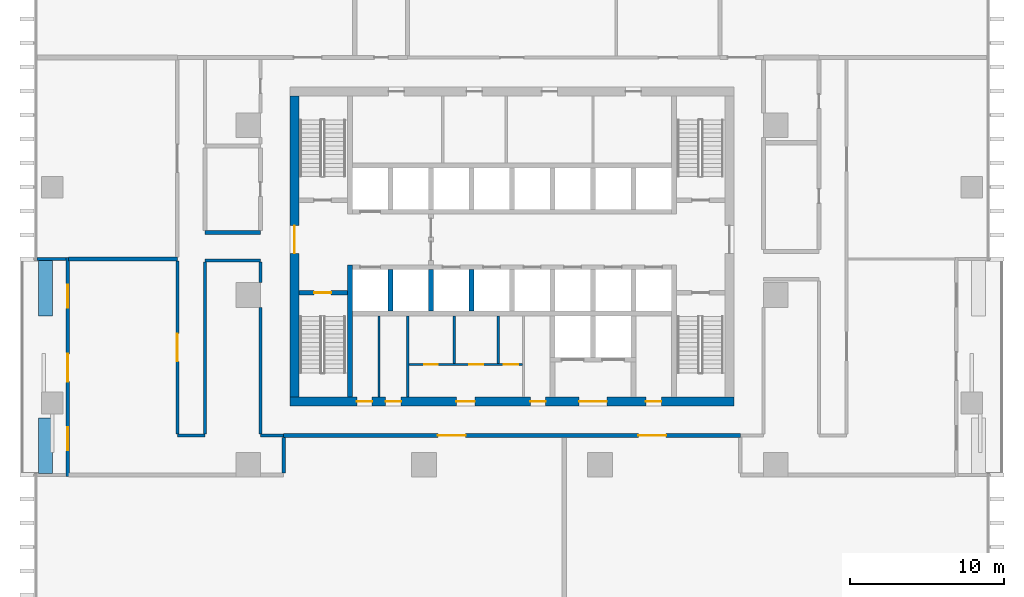
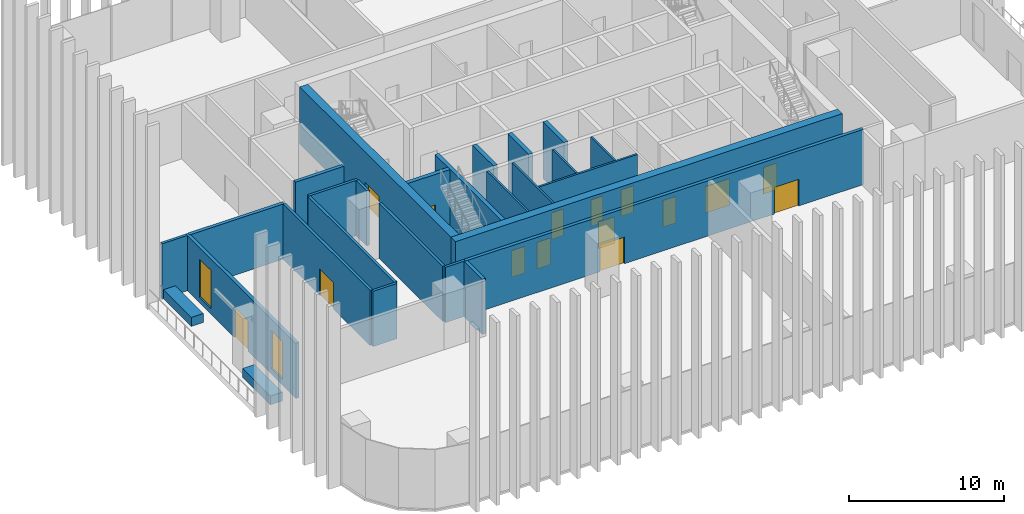
# One storey, part 7 of 17: 27 walls, 15 doors, 2 windows, 17 openings.
"""IFC4 building model written with IfcOpenShell, lengths in metres."""

from ifc_helpers import new_model, si_unit, direction, frame, frame_2d, origin, place, context, subcontext, project, spatial, rectangle, extrude, material, layer, layer_set, type_object, element, fill, save


model = new_model("IFC4")

# Units and contexts
model_context = context("Model", 3, precision=1e-05, world=origin(), true_north=direction((0.0, 1.0)))
body_context = subcontext(model_context, "Body", "Model", "MODEL_VIEW")
ifc_project = project(units=[si_unit("LENGTHUNIT", "METRE"), si_unit("AREAUNIT", "SQUARE_METRE"), si_unit("VOLUMEUNIT", "CUBIC_METRE"), si_unit("PLANEANGLEUNIT", "RADIAN"), si_unit("MASSUNIT", "GRAM", prefix="KILO")], contexts=[model_context])

# Site, building, storey
site_placement = place(None, origin())
site = spatial("IfcSite", under=ifc_project, at=site_placement, CompositionType="ELEMENT")
building_placement = place(site_placement, origin())
building = spatial("IfcBuilding", under=site, at=building_placement, Name="Mopane Tessera Tower", CompositionType="ELEMENT")
storey_placement = place(building_placement, frame((0.0, 0.0, 31.0)))
storey = spatial("IfcBuildingStorey", under=building, at=storey_placement, Name="L05", CompositionType="ELEMENT", Elevation=31.0)

# Walls
ifc_material_1 = material(Name="Fire-rated gypsum board partition")
ifc_layer_1 = layer(ifc_material_1, 0.14990234375)
ifc_layer_set_1 = layer_set([ifc_layer_1], Name="Fire-rated gypsum board partition")
wall_type_1 = type_object("IfcWallType", Name="Core room partition 150 mm", PredefinedType="PARTITIONING", material=ifc_layer_set_1)
for number, where, z_axis, x_axis, name in (
    (1, (-8.625, -6.60009765625, 0.0), (0.0, 0.0, 1.0), (0.0, 1.0, 0.0), "L05 Room partition"),
    (2, (-6.75, -6.60009765625, 0.0), (0.0, 0.0, 1.0), (0.0, 1.0, 0.0), "L05 Room partition"),
):
    element("IfcWall", number, at=place(storey_placement, frame(where, z_axis=z_axis, x_axis=x_axis)), inside=storey, type_object=wall_type_1, Name=name, PredefinedType="PARTITIONING", context=body_context, shape_type="SweptSolid", body=[
        extrude(rectangle(XDim=5.25, YDim=0.14990234375, at=frame_2d((2.625, 0.0))), origin(), (0.0, 0.0, 1.0), 4.5),
    ])

# Wall, openings, doors
wall_1_placement = place(storey_placement, frame((-6.675048828125, -4.5, 0.0), z_axis=(0.0, 0.0, 1.0), x_axis=(1.0, 0.0, 0.0)))
wall_1 = element("IfcWall", 3, at=wall_1_placement, inside=storey, type_object=wall_type_1, Name="L05 WC partition", PredefinedType="PARTITIONING", context=body_context, shape_type="SweptSolid", body=[
    extrude(rectangle(XDim=7.35009765625, YDim=0.14990234375, at=frame_2d((3.675048828125, 0.0))), origin(), (0.0, 0.0, 1.0), 4.5),
])
opening_1_placement = place(wall_1_placement, frame((0.97509765625, 0.0, 0.0)))
opening_1 = element("IfcOpeningElement", 4, at=opening_1_placement, cuts=wall_1, Name="Opening WD1", PredefinedType="OPENING", context=body_context, shape_type="SweptSolid", body=[
    extrude(rectangle(XDim=0.89990234375, YDim=2.10009765625, at=frame_2d((0.449951171875, 1.050048828125))), frame((0.0, 0.0869140625, 0.0), z_axis=(0.0, -1.0, 0.0), x_axis=(1.0, 0.0, 0.0)), (0.0, 0.0, 1.0), 0.173828125),
])
opening_2_placement = place(wall_1_placement, frame((3.89990234375, 0.0, 0.0)))
opening_2 = element("IfcOpeningElement", 5, at=opening_2_placement, cuts=wall_1, Name="Opening WD1", PredefinedType="OPENING", context=body_context, shape_type="SweptSolid", body=[
    extrude(rectangle(XDim=0.89990234375, YDim=2.10009765625, at=frame_2d((0.449951171875, 1.050048828125))), frame((0.0, 0.0869140625, 0.0), z_axis=(0.0, -1.0, 0.0), x_axis=(1.0, 0.0, 0.0)), (0.0, 0.0, 1.0), 0.173828125),
])
opening_3_placement = place(wall_1_placement, frame((6.125, 0.0, 0.0)))
opening_3 = element("IfcOpeningElement", 6, at=opening_3_placement, cuts=wall_1, Name="Opening WD2", PredefinedType="OPENING", context=body_context, shape_type="SweptSolid", body=[
    extrude(rectangle(XDim=0.949951171875, YDim=2.10009765625, at=frame_2d((0.47509765625, 1.050048828125))), frame((0.0, 0.0869140625, 0.0), z_axis=(0.0, -1.0, 0.0), x_axis=(1.0, 0.0, 0.0)), (0.0, 0.0, 1.0), 0.173828125),
])
ifc_material_2 = material(Name="Timber door", Category="wood")
door_type_1 = type_object("IfcDoorType", Name="Accessible WC door 950 x 2100", OperationType="SINGLE_SWING_LEFT", PredefinedType="DOOR", material=ifc_material_2)
door_1_placement = place(opening_3_placement, origin())
door_1 = element("IfcDoor", 7, at=door_1_placement, inside=storey, type_object=door_type_1, Name="L05 Accessible WC door", OperationType="SINGLE_SWING_LEFT", OverallHeight=2.10009765625, OverallWidth=0.949951171875, PredefinedType="DOOR", context=body_context, shape_type="SweptSolid", body=[
    extrude(rectangle(XDim=0.949951171875, YDim=2.10009765625, at=frame_2d((0.47509765625, 1.050048828125))), frame((0.0, 0.02490234375, 0.0), z_axis=(0.0, -1.0, 0.0), x_axis=(1.0, 0.0, 0.0)), (0.0, 0.0, 1.0), 0.050048828125),
])
fill(opening_3, door_1)
ifc_material_3 = material(Name="Timber door", Category="wood")
door_type_2 = type_object("IfcDoorType", Name="WC cubicle door 900 x 2100", OperationType="SINGLE_SWING_LEFT", PredefinedType="DOOR", material=ifc_material_3)
door_2_placement = place(opening_1_placement, origin())
door_2 = element("IfcDoor", 8, at=door_2_placement, inside=storey, type_object=door_type_2, Name="L05 Men's WC door", OperationType="SINGLE_SWING_LEFT", OverallHeight=2.10009765625, OverallWidth=0.89990234375, PredefinedType="DOOR", context=body_context, shape_type="SweptSolid", body=[
    extrude(rectangle(XDim=0.89990234375, YDim=2.10009765625, at=frame_2d((0.449951171875, 1.050048828125))), frame((0.0, 0.02490234375, 0.0), z_axis=(0.0, -1.0, 0.0), x_axis=(1.0, 0.0, 0.0)), (0.0, 0.0, 1.0), 0.050048828125),
])
fill(opening_1, door_2)
door_3_placement = place(opening_2_placement, origin())
door_3 = element("IfcDoor", 9, at=door_3_placement, inside=storey, type_object=door_type_2, Name="L05 Women's WC door", OperationType="SINGLE_SWING_LEFT", OverallHeight=2.10009765625, OverallWidth=0.89990234375, PredefinedType="DOOR", context=body_context, shape_type="SweptSolid", body=[
    extrude(rectangle(XDim=0.89990234375, YDim=2.10009765625, at=frame_2d((0.449951171875, 1.050048828125))), frame((0.0, 0.02490234375, 0.0), z_axis=(0.0, -1.0, 0.0), x_axis=(1.0, 0.0, 0.0)), (0.0, 0.0, 1.0), 0.050048828125),
])
fill(opening_2, door_3)

# Walls
for number, where, z_axis, x_axis, name in (
    (10, (-3.75, -4.425048828125, 0.0), (0.0, 0.0, 1.0), (0.0, 1.0, 0.0), "L05 WC partition"),
    (11, (-0.89990234375, -4.425048828125, 0.0), (0.0, 0.0, 1.0), (0.0, 1.0, 0.0), "L05 WC partition"),
):
    element("IfcWall", number, at=place(storey_placement, frame(where, z_axis=z_axis, x_axis=x_axis)), inside=storey, type_object=wall_type_1, Name=name, PredefinedType="PARTITIONING", context=body_context, shape_type="SweptSolid", body=[
        extrude(rectangle(XDim=3.074951171875, YDim=0.14990234375, at=frame_2d((1.53759765625, 0.0))), origin(), (0.0, 0.0, 1.0), 4.5),
    ])

# Wall, openings, doors
ifc_material_4 = material(Name="Concrete C70/85", Category="concrete")
ifc_layer_2 = layer(ifc_material_4, 0.60009765625)
ifc_layer_set_2 = layer_set([ifc_layer_2], Name="Concrete C70/85")
wall_type_2 = type_object("IfcWallType", Name="Core shear wall 600 mm", PredefinedType="SHEAR", material=ifc_layer_set_2)
wall_2_placement = place(storey_placement, frame((-14.39990234375, -6.89990234375, 0.0), z_axis=(0.0, 0.0, 1.0), x_axis=(1.0, 0.0, 0.0)))
wall_2 = element("IfcWall", 12, at=wall_2_placement, inside=storey, type_object=wall_type_2, Name="L05 Core wall south", PredefinedType="SHEAR", context=body_context, shape_type="SweptSolid", body=[
    extrude(rectangle(XDim=28.7998046875, YDim=0.60009765625, at=frame_2d((14.39990234375, 0.0))), origin(), (0.0, 0.0, 1.0), 4.5),
])
opening_4_placement = place(wall_2_placement, frame((4.33740234375, 0.0, 0.0)))
opening_4 = element("IfcOpeningElement", 13, at=opening_4_placement, cuts=wall_2, Name="Opening RD1", PredefinedType="OPENING", context=body_context, shape_type="SweptSolid", body=[
    extrude(rectangle(XDim=1.0, YDim=2.10009765625, at=frame_2d((0.5, 1.050048828125))), frame((0.0, 0.31201171875, 0.0), z_axis=(0.0, -1.0, 0.0), x_axis=(1.0, 0.0, 0.0)), (0.0, 0.0, 1.0), 0.6240234375),
])
opening_5_placement = place(wall_2_placement, frame((6.21240234375, 0.0, 0.0)))
opening_5 = element("IfcOpeningElement", 14, at=opening_5_placement, cuts=wall_2, Name="Opening RD1", PredefinedType="OPENING", context=body_context, shape_type="SweptSolid", body=[
    extrude(rectangle(XDim=1.0, YDim=2.10009765625, at=frame_2d((0.5, 1.050048828125))), frame((0.0, 0.31201171875, 0.0), z_axis=(0.0, -1.0, 0.0), x_axis=(1.0, 0.0, 0.0)), (0.0, 0.0, 1.0), 0.6240234375),
])
opening_6_placement = place(wall_2_placement, frame((10.800048828125, 0.0, 0.0)))
opening_6 = element("IfcOpeningElement", 15, at=opening_6_placement, cuts=wall_2, Name="Opening WD3", PredefinedType="OPENING", context=body_context, shape_type="SweptSolid", body=[
    extrude(rectangle(XDim=1.199951171875, YDim=2.10009765625, at=frame_2d((0.60009765625, 1.050048828125))), frame((0.0, 0.31201171875, 0.0), z_axis=(0.0, -1.0, 0.0), x_axis=(1.0, 0.0, 0.0)), (0.0, 0.0, 1.0), 0.6240234375),
])
opening_7_placement = place(wall_2_placement, frame((15.58740234375, 0.0, 0.0)))
opening_7 = element("IfcOpeningElement", 16, at=opening_7_placement, cuts=wall_2, Name="Opening RD1", PredefinedType="OPENING", context=body_context, shape_type="SweptSolid", body=[
    extrude(rectangle(XDim=1.0, YDim=2.10009765625, at=frame_2d((0.5, 1.050048828125))), frame((0.0, 0.31201171875, 0.0), z_axis=(0.0, -1.0, 0.0), x_axis=(1.0, 0.0, 0.0)), (0.0, 0.0, 1.0), 0.6240234375),
])
opening_8_placement = place(wall_2_placement, frame((18.75, 0.0, 0.0)))
opening_8 = element("IfcOpeningElement", 17, at=opening_8_placement, cuts=wall_2, Name="Opening SD2", PredefinedType="OPENING", context=body_context, shape_type="SweptSolid", body=[
    extrude(rectangle(XDim=1.800048828125, YDim=2.10009765625, at=frame_2d((0.89990234375, 1.050048828125))), frame((0.0, 0.31201171875, 0.0), z_axis=(0.0, -1.0, 0.0), x_axis=(1.0, 0.0, 0.0)), (0.0, 0.0, 1.0), 0.6240234375),
])
opening_9_placement = place(wall_2_placement, frame((23.08740234375, 0.0, 0.0)))
opening_9 = element("IfcOpeningElement", 18, at=opening_9_placement, cuts=wall_2, Name="Opening RD1", PredefinedType="OPENING", context=body_context, shape_type="SweptSolid", body=[
    extrude(rectangle(XDim=1.0, YDim=2.10009765625, at=frame_2d((0.5, 1.050048828125))), frame((0.0, 0.31201171875, 0.0), z_axis=(0.0, -1.0, 0.0), x_axis=(1.0, 0.0, 0.0)), (0.0, 0.0, 1.0), 0.6240234375),
])
ifc_material_5 = material(Name="Steel fire door", Category="steel")
door_type_3 = type_object("IfcDoorType", Name="Core entrance double door 1800 x 2100", OperationType="DOUBLE_DOOR_SINGLE_SWING", PredefinedType="DOOR", material=ifc_material_5)
door_4_placement = place(opening_8_placement, origin())
door_4 = element("IfcDoor", 19, at=door_4_placement, inside=storey, type_object=door_type_3, Name="L05 Service lobby door", OperationType="DOUBLE_DOOR_SINGLE_SWING", OverallHeight=2.10009765625, OverallWidth=1.800048828125, PredefinedType="DOOR", context=body_context, shape_type="SweptSolid", body=[
    extrude(rectangle(XDim=1.800048828125, YDim=2.10009765625, at=frame_2d((0.89990234375, 1.050048828125))), frame((0.0, 0.02490234375, 0.0), z_axis=(0.0, -1.0, 0.0), x_axis=(1.0, 0.0, 0.0)), (0.0, 0.0, 1.0), 0.050048828125),
])
fill(opening_8, door_4)
ifc_material_6 = material(Name="Timber door", Category="wood")
door_type_4 = type_object("IfcDoorType", Name="Core room door 1000 x 2100", OperationType="SINGLE_SWING_LEFT", PredefinedType="DOOR", material=ifc_material_6)
door_5_placement = place(opening_4_placement, origin())
door_5 = element("IfcDoor", 20, at=door_5_placement, inside=storey, type_object=door_type_4, Name="L05 Room door", OperationType="SINGLE_SWING_LEFT", OverallHeight=2.10009765625, OverallWidth=1.0, PredefinedType="DOOR", context=body_context, shape_type="SweptSolid", body=[
    extrude(rectangle(XDim=1.0, YDim=2.10009765625, at=frame_2d((0.5, 1.050048828125))), frame((0.0, 0.02490234375, 0.0), z_axis=(0.0, -1.0, 0.0), x_axis=(1.0, 0.0, 0.0)), (0.0, 0.0, 1.0), 0.050048828125),
])
fill(opening_4, door_5)
door_6_placement = place(opening_5_placement, origin())
door_6 = element("IfcDoor", 21, at=door_6_placement, inside=storey, type_object=door_type_4, Name="L05 Room door", OperationType="SINGLE_SWING_LEFT", OverallHeight=2.10009765625, OverallWidth=1.0, PredefinedType="DOOR", context=body_context, shape_type="SweptSolid", body=[
    extrude(rectangle(XDim=1.0, YDim=2.10009765625, at=frame_2d((0.5, 1.050048828125))), frame((0.0, 0.02490234375, 0.0), z_axis=(0.0, -1.0, 0.0), x_axis=(1.0, 0.0, 0.0)), (0.0, 0.0, 1.0), 0.050048828125),
])
fill(opening_5, door_6)
door_7_placement = place(opening_7_placement, origin())
door_7 = element("IfcDoor", 22, at=door_7_placement, inside=storey, type_object=door_type_4, Name="L05 Room door", OperationType="SINGLE_SWING_LEFT", OverallHeight=2.10009765625, OverallWidth=1.0, PredefinedType="DOOR", context=body_context, shape_type="SweptSolid", body=[
    extrude(rectangle(XDim=1.0, YDim=2.10009765625, at=frame_2d((0.5, 1.050048828125))), frame((0.0, 0.02490234375, 0.0), z_axis=(0.0, -1.0, 0.0), x_axis=(1.0, 0.0, 0.0)), (0.0, 0.0, 1.0), 0.050048828125),
])
fill(opening_7, door_7)
door_8_placement = place(opening_9_placement, origin())
door_8 = element("IfcDoor", 23, at=door_8_placement, inside=storey, type_object=door_type_4, Name="L05 Room door", OperationType="SINGLE_SWING_LEFT", OverallHeight=2.10009765625, OverallWidth=1.0, PredefinedType="DOOR", context=body_context, shape_type="SweptSolid", body=[
    extrude(rectangle(XDim=1.0, YDim=2.10009765625, at=frame_2d((0.5, 1.050048828125))), frame((0.0, 0.02490234375, 0.0), z_axis=(0.0, -1.0, 0.0), x_axis=(1.0, 0.0, 0.0)), (0.0, 0.0, 1.0), 0.050048828125),
])
fill(opening_9, door_8)
ifc_material_7 = material(Name="Timber door", Category="wood")
door_type_5 = type_object("IfcDoorType", Name="WC lobby door 1200 x 2100", OperationType="SINGLE_SWING_LEFT", PredefinedType="DOOR", material=ifc_material_7)
door_9_placement = place(opening_6_placement, origin())
door_9 = element("IfcDoor", 24, at=door_9_placement, inside=storey, type_object=door_type_5, Name="L05 WC lobby door", OperationType="SINGLE_SWING_LEFT", OverallHeight=2.10009765625, OverallWidth=1.199951171875, PredefinedType="DOOR", context=body_context, shape_type="SweptSolid", body=[
    extrude(rectangle(XDim=1.199951171875, YDim=2.10009765625, at=frame_2d((0.60009765625, 1.050048828125))), frame((0.0, 0.02490234375, 0.0), z_axis=(0.0, -1.0, 0.0), x_axis=(1.0, 0.0, 0.0)), (0.0, 0.0, 1.0), 0.050048828125),
])
fill(opening_6, door_9)

# Wall, opening, door
wall_3_placement = place(storey_placement, frame((-14.10009765625, -6.60009765625, 0.0), z_axis=(0.0, 0.0, 1.0), x_axis=(0.0, 1.0, 0.0)))
wall_3 = element("IfcWall", 25, at=wall_3_placement, inside=storey, type_object=wall_type_2, Name="L05 Core wall west", PredefinedType="SHEAR", context=body_context, shape_type="SweptSolid", body=[
    extrude(rectangle(XDim=19.5, YDim=0.60009765625, at=frame_2d((9.75, 0.0))), origin(), (0.0, 0.0, 1.0), 4.5),
])
opening_10_placement = place(wall_3_placement, frame((9.300048828125, 0.0, 0.0)))
opening_10 = element("IfcOpeningElement", 26, at=opening_10_placement, cuts=wall_3, Name="Opening SD2", PredefinedType="OPENING", context=body_context, shape_type="SweptSolid", body=[
    extrude(rectangle(XDim=1.800048828125, YDim=2.10009765625, at=frame_2d((0.89990234375, 1.050048828125))), frame((0.0, 0.31201171875, 0.0), z_axis=(0.0, -1.0, 0.0), x_axis=(1.0, 0.0, 0.0)), (0.0, 0.0, 1.0), 0.6240234375),
])
door_10_placement = place(opening_10_placement, origin())
door_10 = element("IfcDoor", 27, at=door_10_placement, inside=storey, type_object=door_type_3, Name="L05 Core entrance door west", OperationType="DOUBLE_DOOR_SINGLE_SWING", OverallHeight=2.10009765625, OverallWidth=1.800048828125, PredefinedType="DOOR", context=body_context, shape_type="SweptSolid", body=[
    extrude(rectangle(XDim=1.800048828125, YDim=2.10009765625, at=frame_2d((0.89990234375, 1.050048828125))), frame((0.0, 0.02490234375, 0.0), z_axis=(0.0, -1.0, 0.0), x_axis=(1.0, 0.0, 0.0)), (0.0, 0.0, 1.0), 0.050048828125),
])
fill(opening_10, door_10)

# Walls
ifc_material_8 = material(Name="Concrete C60/75", Category="concrete")
ifc_layer_3 = layer(ifc_material_8, 0.300048828125)
ifc_layer_set_3 = layer_set([ifc_layer_3], Name="Concrete C60/75")
wall_type_3 = type_object("IfcWallType", Name="Core spine wall 300 mm", PredefinedType="SHEAR", material=ifc_layer_set_3)
wall_4_placement = place(storey_placement, frame((-10.5, -6.60009765625, 0.0), z_axis=(0.0, 0.0, 1.0), x_axis=(0.0, 1.0, 0.0)))
element("IfcWall", 28, at=wall_4_placement, inside=storey, type_object=wall_type_3, Name="L05 Core spine wall", PredefinedType="SHEAR", context=body_context, shape_type="SweptSolid", body=[
    extrude(rectangle(XDim=8.550048828125, YDim=0.300048828125, at=frame_2d((4.27490234375, 0.0))), origin(), (0.0, 0.0, 1.0), 4.5),
])
ifc_material_9 = material(Name="Gypsum board on steel studs, two layers each face, mineral wool infill", Category="steel")
ifc_layer_4 = layer(ifc_material_9, 0.199951171875)
ifc_layer_set_4 = layer_set([ifc_layer_4], Name="Gypsum board on steel studs, two layers each face, mineral wool infill")
wall_type_4 = type_object("IfcWallType", Name="Gypsum board corridor wall 200, rated EI 60", PredefinedType="PARTITIONING", material=ifc_layer_set_4)
wall_5_placement = place(storey_placement, frame((-21.699951171875, -9.10009765625, 0.0), z_axis=(0.0, 0.0, 1.0), x_axis=(1.0, 0.0, 0.0)))
element("IfcWall", 29, at=wall_5_placement, inside=storey, type_object=wall_type_4, Name="Partition L05:004", PredefinedType="PARTITIONING", context=body_context, shape_type="SweptSolid", body=[
    extrude(rectangle(XDim=1.800048828125, YDim=0.199951171875, at=frame_2d((0.89990234375, 0.0))), origin(), (0.0, 0.0, 1.0), 4.35009765625),
])
wall_6_placement = place(storey_placement, frame((-16.300048828125, -9.10009765625, 0.0), z_axis=(0.0, 0.0, 1.0), x_axis=(1.0, 0.0, 0.0)))
element("IfcWall", 30, at=wall_6_placement, inside=storey, type_object=wall_type_4, Name="Partition L05:005", PredefinedType="PARTITIONING", context=body_context, shape_type="SweptSolid", body=[
    extrude(rectangle(XDim=1.5, YDim=0.199951171875, at=frame_2d((0.75, 0.0))), origin(), (0.0, 0.0, 1.0), 4.35009765625),
])
wall_7_placement = place(storey_placement, frame((-19.89990234375, 2.25, 0.0), z_axis=(0.0, 0.0, 1.0), x_axis=(1.0, 0.0, 0.0)))
element("IfcWall", 31, at=wall_7_placement, inside=storey, type_object=wall_type_4, Name="Partition L05:010", PredefinedType="PARTITIONING", context=body_context, shape_type="SweptSolid", body=[
    extrude(rectangle(XDim=3.599853515625, YDim=0.199951171875, at=frame_2d((1.7998046875, 0.0))), origin(), (0.0, 0.0, 1.0), 4.35009765625),
])

# Wall, opening, door
wall_8_placement = place(storey_placement, frame((-21.699951171875, -9.0, 0.0), z_axis=(0.0, 0.0, 1.0), x_axis=(0.0, 1.0, 0.0)))
wall_8 = element("IfcWall", 32, at=wall_8_placement, inside=storey, type_object=wall_type_4, Name="Partition L05:023", PredefinedType="PARTITIONING", context=body_context, shape_type="SweptSolid", body=[
    extrude(rectangle(XDim=11.2099609375, YDim=0.199951171875, at=frame_2d((5.60498046875, 0.0))), origin(), (0.0, 0.0, 1.0), 4.35009765625),
])
opening_11_placement = place(wall_8_placement, frame((4.705078125, 0.0, 0.0)))
opening_11 = element("IfcOpeningElement", 33, at=opening_11_placement, cuts=wall_8, Name="Opening L05-03", PredefinedType="OPENING", context=body_context, shape_type="SweptSolid", body=[
    extrude(rectangle(XDim=1.800048828125, YDim=2.10009765625, at=frame_2d((0.89990234375, 1.050048828125))), frame((0.0, 0.112060546875, 0.0), z_axis=(0.0, -1.0, 0.0), x_axis=(1.0, 0.0, 0.0)), (0.0, 0.0, 1.0), 0.223876953125),
])
ifc_material_10 = material(Name="Timber veneered steel-framed fire door", Category="steel")
door_type_6 = type_object("IfcDoorType", Name="Fire door pair FD60 1800 x 2100", OperationType="DOUBLE_DOOR_SINGLE_SWING", PredefinedType="DOOR", material=ifc_material_10)
door_11_placement = place(opening_11_placement, origin())
door_11 = element("IfcDoor", 34, at=door_11_placement, inside=storey, type_object=door_type_6, Name="Door L05-03", ObjectType="D20A", OperationType="DOUBLE_DOOR_SINGLE_SWING", OverallHeight=2.10009765625, OverallWidth=1.800048828125, PredefinedType="DOOR", context=body_context, shape_type="SweptSolid", body=[
    extrude(rectangle(XDim=1.800048828125, YDim=2.10009765625, at=frame_2d((0.89990234375, 1.050048828125))), frame((0.0, 0.02490234375, 0.0), z_axis=(0.0, -1.0, 0.0), x_axis=(1.0, 0.0, 0.0)), (0.0, 0.0, 1.0), 0.050048828125),
])
fill(opening_11, door_11)

# Walls
wall_9_placement = place(storey_placement, frame((-19.89990234375, -9.0, 0.0), z_axis=(0.0, 0.0, 1.0), x_axis=(0.0, 1.0, 0.0)))
element("IfcWall", 35, at=wall_9_placement, inside=storey, type_object=wall_type_4, Name="Partition L05:025", PredefinedType="PARTITIONING", context=body_context, shape_type="SweptSolid", body=[
    extrude(rectangle(XDim=11.14990234375, YDim=0.199951171875, at=frame_2d((5.574951171875, 0.0))), origin(), (0.0, 0.0, 1.0), 4.35009765625),
])
wall_10_placement = place(storey_placement, frame((-16.300048828125, -9.0, 0.0), z_axis=(0.0, 0.0, 1.0), x_axis=(0.0, 1.0, 0.0)))
element("IfcWall", 36, at=wall_10_placement, inside=storey, type_object=wall_type_4, Name="Partition L05:028", PredefinedType="PARTITIONING", context=body_context, shape_type="SweptSolid", body=[
    extrude(rectangle(XDim=8.199951171875, YDim=0.199951171875, at=frame_2d((4.10009765625, 0.0))), origin(), (0.0, 0.0, 1.0), 4.35009765625),
])
wall_11_placement = place(storey_placement, frame((-16.300048828125, 0.800048828125, 0.0), z_axis=(0.0, 0.0, 1.0), x_axis=(0.0, 1.0, 0.0)))
element("IfcWall", 37, at=wall_11_placement, inside=storey, type_object=wall_type_4, Name="Partition L05:029", PredefinedType="PARTITIONING", context=body_context, shape_type="SweptSolid", body=[
    extrude(rectangle(XDim=1.349853515625, YDim=0.199951171875, at=frame_2d((0.6748046875, 0.0))), origin(), (0.0, 0.0, 1.0), 4.35009765625),
])

# Wall, opening, door
ifc_material_11 = material(Name="Concrete C50/60", Category="concrete")
ifc_layer_5 = layer(ifc_material_11, 0.300048828125)
ifc_layer_set_5 = layer_set([ifc_layer_5], Name="Concrete C50/60")
wall_type_5 = type_object("IfcWallType", Name="Lift and stair shaft wall 300 mm", PredefinedType="SOLIDWALL", material=ifc_layer_set_5)
wall_12_placement = place(storey_placement, frame((-13.800048828125, 0.14990234375, 0.0), z_axis=(0.0, 0.0, 1.0), x_axis=(1.0, 0.0, 0.0)))
wall_12 = element("IfcWall", 38, at=wall_12_placement, inside=storey, type_object=wall_type_5, Name="L05 Stair enclosure wall", PredefinedType="SOLIDWALL", context=body_context, shape_type="SweptSolid", body=[
    extrude(rectangle(XDim=3.150146484375, YDim=0.300048828125, at=frame_2d((1.5751953125, 0.0))), origin(), (0.0, 0.0, 1.0), 4.5),
])
opening_12_placement = place(wall_12_placement, frame((0.97509765625, 0.0, 0.0)))
opening_12 = element("IfcOpeningElement", 39, at=opening_12_placement, cuts=wall_12, Name="Opening SD1", PredefinedType="OPENING", context=body_context, shape_type="SweptSolid", body=[
    extrude(rectangle(XDim=1.10009765625, YDim=2.10009765625, at=frame_2d((0.550048828125, 1.050048828125))), frame((0.0, 0.162109375, 0.0), z_axis=(0.0, -1.0, 0.0), x_axis=(1.0, 0.0, 0.0)), (0.0, 0.0, 1.0), 0.323974609375),
])
ifc_material_12 = material(Name="Steel fire door", Category="steel")
door_type_7 = type_object("IfcDoorType", Name="Stair fire door 1100 x 2100", OperationType="SINGLE_SWING_LEFT", PredefinedType="DOOR", material=ifc_material_12)
door_12_placement = place(opening_12_placement, origin())
door_12 = element("IfcDoor", 40, at=door_12_placement, inside=storey, type_object=door_type_7, Name="L05 Stair door ST1", OperationType="SINGLE_SWING_LEFT", OverallHeight=2.10009765625, OverallWidth=1.10009765625, PredefinedType="DOOR", context=body_context, shape_type="SweptSolid", body=[
    extrude(rectangle(XDim=1.10009765625, YDim=2.10009765625, at=frame_2d((0.550048828125, 1.050048828125))), frame((0.0, 0.02490234375, 0.0), z_axis=(0.0, -1.0, 0.0), x_axis=(1.0, 0.0, 0.0)), (0.0, 0.0, 1.0), 0.050048828125),
])
fill(opening_12, door_12)

# Walls
for number, where, z_axis, x_axis, name in (
    (41, (-7.875, -1.050048828125, 0.0), (0.0, 0.0, 1.0), (0.0, 1.0, 0.0), "L05 Lift shaft wall"),
    (42, (-5.25, -1.050048828125, 0.0), (0.0, 0.0, 1.0), (0.0, 1.0, 0.0), "L05 Lift shaft wall"),
    (43, (-2.625, -1.050048828125, 0.0), (0.0, 0.0, 1.0), (0.0, 1.0, 0.0), "L05 Lift shaft wall"),
):
    element("IfcWall", number, at=place(storey_placement, frame(where, z_axis=z_axis, x_axis=x_axis)), inside=storey, type_object=wall_type_5, Name=name, PredefinedType="SOLIDWALL", context=body_context, shape_type="SweptSolid", body=[
        extrude(rectangle(XDim=2.699951171875, YDim=0.300048828125, at=frame_2d((1.35009765625, 0.0))), origin(), (0.0, 0.0, 1.0), 4.5),
    ])
ifc_material_13 = material(Name="Reinforced concrete C32/40 with waterproofing", Category="concrete")
ifc_layer_6 = layer(ifc_material_13, 0.89990234375)
ifc_layer_set_6 = layer_set([ifc_layer_6], Name="Reinforced concrete C32/40 with waterproofing")
wall_type_6 = type_object("IfcWallType", Name="Planter trough 3600 x 900", PredefinedType="STANDARD", material=ifc_layer_set_6)
for number, where, z_axis, x_axis, name in (
    (44, (-30.25, 2.2333984375, 0.0), (0.0, 0.0, 1.0), (0.0, -1.0, 0.0), "e:nw:L05:N3:pl0"),
    (45, (-30.25, -7.966552734375, 0.0), (0.0, 0.0, 1.0), (0.0, -1.0, 0.0), "e:nw:L05:N3:pl1"),
):
    element("IfcWall", number, at=place(storey_placement, frame(where, z_axis=z_axis, x_axis=x_axis)), inside=storey, type_object=wall_type_6, Name=name, PredefinedType="STANDARD", context=body_context, shape_type="SweptSolid", body=[
        extrude(rectangle(XDim=3.60009765625, YDim=0.89990234375, at=frame_2d((1.800048828125, 0.0))), origin(), (0.0, 0.0, 1.0), 0.699951171875),
    ])

# Wall, openings, doors
ifc_material_14 = material(Name="Plastered concrete blockwork C20/25", Category="masonry")
ifc_layer_7 = layer(ifc_material_14, 0.25)
ifc_layer_set_7 = layer_set([ifc_layer_7], Name="Plastered concrete blockwork C20/25")
wall_type_7 = type_object("IfcWallType", Name="Plastered blockwork wall 250, rated EI 120", PredefinedType="PARTITIONING", material=ifc_layer_set_7)
wall_13_placement = place(storey_placement, frame((-14.800048828125, -9.10009765625, 0.0), z_axis=(0.0, 0.0, 1.0), x_axis=(1.0, 0.0, 0.0)))
wall_13 = element("IfcWall", 46, at=wall_13_placement, inside=storey, type_object=wall_type_7, Name="Partition L05:008", PredefinedType="PARTITIONING", context=body_context, shape_type="SweptSolid", body=[
    extrude(rectangle(XDim=29.60009765625, YDim=0.25, at=frame_2d((14.800048828125, 0.0))), origin(), (0.0, 0.0, 1.0), 4.35009765625),
])
opening_13_placement = place(wall_13_placement, frame((22.99755859375, 0.0, 0.0)))
opening_13 = element("IfcOpeningElement", 47, at=opening_13_placement, cuts=wall_13, Name="Opening L05-07", PredefinedType="OPENING", context=body_context, shape_type="SweptSolid", body=[
    extrude(rectangle(XDim=1.800048828125, YDim=2.10009765625, at=frame_2d((0.89990234375, 1.050048828125))), frame((0.0, 0.136962890625, 0.0), z_axis=(0.0, -1.0, 0.0), x_axis=(1.0, 0.0, 0.0)), (0.0, 0.0, 1.0), 0.27392578125),
])
opening_14_placement = place(wall_13_placement, frame((9.99755859375, 0.0, 0.0)))
opening_14 = element("IfcOpeningElement", 48, at=opening_14_placement, cuts=wall_13, Name="Opening L05-09", PredefinedType="OPENING", context=body_context, shape_type="SweptSolid", body=[
    extrude(rectangle(XDim=1.800048828125, YDim=2.10009765625, at=frame_2d((0.89990234375, 1.050048828125))), frame((0.0, 0.136962890625, 0.0), z_axis=(0.0, -1.0, 0.0), x_axis=(1.0, 0.0, 0.0)), (0.0, 0.0, 1.0), 0.27392578125),
])
ifc_material_15 = material(Name="Timber veneered steel-framed fire door", Category="steel")
door_type_8 = type_object("IfcDoorType", Name="Fire door pair FD120 1800 x 2100", OperationType="DOUBLE_DOOR_SINGLE_SWING", PredefinedType="DOOR", material=ifc_material_15)
door_13_placement = place(opening_13_placement, origin())
door_13 = element("IfcDoor", 49, at=door_13_placement, inside=storey, type_object=door_type_8, Name="Door L05-07", ObjectType="D20B", OperationType="DOUBLE_DOOR_SINGLE_SWING", OverallHeight=2.10009765625, OverallWidth=1.800048828125, PredefinedType="DOOR", context=body_context, shape_type="SweptSolid", body=[
    extrude(rectangle(XDim=1.800048828125, YDim=2.10009765625, at=frame_2d((0.89990234375, 1.050048828125))), frame((0.0, 0.02490234375, 0.0), z_axis=(0.0, -1.0, 0.0), x_axis=(1.0, 0.0, 0.0)), (0.0, 0.0, 1.0), 0.050048828125),
])
fill(opening_13, door_13)
door_14_placement = place(opening_14_placement, origin())
door_14 = element("IfcDoor", 50, at=door_14_placement, inside=storey, type_object=door_type_8, Name="Door L05-09", ObjectType="D20B", OperationType="DOUBLE_DOOR_SINGLE_SWING", OverallHeight=2.10009765625, OverallWidth=1.800048828125, PredefinedType="DOOR", context=body_context, shape_type="SweptSolid", body=[
    extrude(rectangle(XDim=1.800048828125, YDim=2.10009765625, at=frame_2d((0.89990234375, 1.050048828125))), frame((0.0, 0.02490234375, 0.0), z_axis=(0.0, -1.0, 0.0), x_axis=(1.0, 0.0, 0.0)), (0.0, 0.0, 1.0), 0.050048828125),
])
fill(opening_14, door_14)

# Walls
wall_14_placement = place(storey_placement, frame((-28.75, 2.3349609375, 0.0), z_axis=(0.0, 0.0, 1.0), x_axis=(1.0, 0.0, 0.0)))
element("IfcWall", 51, at=wall_14_placement, inside=storey, type_object=wall_type_7, Name="Partition L05:012", PredefinedType="PARTITIONING", context=body_context, shape_type="SweptSolid", body=[
    extrude(rectangle(XDim=7.050048828125, YDim=0.25, at=frame_2d((3.52490234375, 0.0))), origin(), (0.0, 0.0, 1.0), 4.35009765625),
])
wall_15_placement = place(storey_placement, frame((-19.89990234375, 4.050048828125, 0.0), z_axis=(0.0, 0.0, 1.0), x_axis=(1.0, 0.0, 0.0)))
element("IfcWall", 52, at=wall_15_placement, inside=storey, type_object=wall_type_7, Name="Partition L05:014", PredefinedType="PARTITIONING", context=body_context, shape_type="SweptSolid", body=[
    extrude(rectangle(XDim=3.599853515625, YDim=0.25, at=frame_2d((1.7998046875, 0.0))), origin(), (0.0, 0.0, 1.0), 4.35009765625),
])
wall_16_placement = place(storey_placement, frame((-14.800048828125, -11.5400390625, 0.0), z_axis=(0.0, 0.0, 1.0), x_axis=(0.0, 1.0, 0.0)))
element("IfcWall", 53, at=wall_16_placement, inside=storey, type_object=wall_type_7, Name="Partition L05:033", PredefinedType="PARTITIONING", context=body_context, shape_type="SweptSolid", body=[
    extrude(rectangle(XDim=2.31494140625, YDim=0.25, at=frame_2d((1.157470703125, 0.0))), origin(), (0.0, 0.0, 1.0), 4.35009765625),
])
ifc_material_16 = material(Name="Blockwork with glazed tile facing", Category="masonry")
ifc_layer_8 = layer(ifc_material_16, 0.199951171875)
ifc_layer_set_8 = layer_set([ifc_layer_8], Name="Blockwork with glazed tile facing")
wall_type_8 = type_object("IfcWallType", Name="Terrace cheek wall 200", PredefinedType="STANDARD", material=ifc_layer_set_8)
wall_17_placement = place(storey_placement, frame((-30.800048828125, 2.333251953125, 0.0), z_axis=(0.0, 0.0, 1.0), x_axis=(1.0, 0.0, 0.0)))
element("IfcWall", 54, at=wall_17_placement, inside=storey, type_object=wall_type_8, Name="e:nw:L05:N3:cheeka", PredefinedType="STANDARD", context=body_context, shape_type="SweptSolid", body=[
    extrude(rectangle(XDim=1.875, YDim=0.199951171875, at=frame_2d((0.9375, 0.0))), origin(), (0.0, 0.0, 1.0), 4.35009765625),
])

# Wall, openings, windows, door
ifc_material_17 = material(Name="Blockwork with ultramarine glazed tile facing", Category="masonry")
ifc_layer_9 = layer(ifc_material_17, 0.25)
ifc_layer_set_9 = layer_set([ifc_layer_9], Name="Blockwork with ultramarine glazed tile facing")
wall_type_9 = type_object("IfcWallType", Name="Tile-clad external wall 250, ultramarine", PredefinedType="STANDARD", material=ifc_layer_set_9)
wall_18_placement = place(storey_placement, frame((-28.800048828125, 2.433349609375, 0.0), z_axis=(0.0, 0.0, 1.0), x_axis=(0.0, -1.0, 0.0)))
wall_18 = element("IfcWall", 55, at=wall_18_placement, inside=storey, type_object=wall_type_9, Name="e:nw:L05:N3:back", PredefinedType="STANDARD", context=body_context, shape_type="SweptSolid", body=[
    extrude(rectangle(XDim=14.199951171875, YDim=0.25, at=frame_2d((7.10009765625, 0.0))), origin(), (0.0, 0.0, 1.0), 4.35009765625),
])
opening_15_placement = place(wall_18_placement, frame((1.75, 0.0, 0.449951171875)))
opening_15 = element("IfcOpeningElement", 56, at=opening_15_placement, cuts=wall_18, Name="Opening NW053A", PredefinedType="OPENING", context=body_context, shape_type="SweptSolid", body=[
    extrude(rectangle(XDim=1.5, YDim=3.0, at=frame_2d((0.75, 1.5))), frame((0.0, 0.136962890625, 0.0), z_axis=(0.0, -1.0, 0.0), x_axis=(1.0, 0.0, 0.0)), (0.0, 0.0, 1.0), 0.27392578125),
])
opening_16_placement = place(wall_18_placement, frame((6.25, 0.0, 0.0)))
opening_16 = element("IfcOpeningElement", 57, at=opening_16_placement, cuts=wall_18, Name="Opening ND053", PredefinedType="OPENING", context=body_context, shape_type="SweptSolid", body=[
    extrude(rectangle(XDim=1.800048828125, YDim=2.39990234375, at=frame_2d((0.89990234375, 1.199951171875))), frame((0.0, 0.136962890625, 0.0), z_axis=(0.0, -1.0, 0.0), x_axis=(1.0, 0.0, 0.0)), (0.0, 0.0, 1.0), 0.27392578125),
])
opening_17_placement = place(wall_18_placement, frame((11.0, 0.0, 0.449951171875)))
opening_17 = element("IfcOpeningElement", 58, at=opening_17_placement, cuts=wall_18, Name="Opening NW053B", PredefinedType="OPENING", context=body_context, shape_type="SweptSolid", body=[
    extrude(rectangle(XDim=1.5, YDim=3.0, at=frame_2d((0.75, 1.5))), frame((0.0, 0.136962890625, 0.0), z_axis=(0.0, -1.0, 0.0), x_axis=(1.0, 0.0, 0.0)), (0.0, 0.0, 1.0), 0.27392578125),
])
ifc_material_18 = material(Name="Clear laminated glass", Category="glass")
window_type = type_object("IfcWindowType", Name="Fixed window 1500 x 3000", PartitioningType="SINGLE_PANEL", PredefinedType="WINDOW", material=ifc_material_18)
window_1_placement = place(opening_15_placement, origin())
window_1 = element("IfcWindow", 59, at=window_1_placement, inside=storey, type_object=window_type, Name="e:nw:L05:N3:win0", OverallHeight=3.0, OverallWidth=1.5, PartitioningType="SINGLE_PANEL", PredefinedType="WINDOW", context=body_context, shape_type="SweptSolid", body=[
    extrude(rectangle(XDim=1.5, YDim=3.0, at=frame_2d((0.75, 1.5))), frame((0.0, 0.030029296875, 0.0), z_axis=(0.0, -1.0, 0.0), x_axis=(1.0, 0.0, 0.0)), (0.0, 0.0, 1.0), 0.06005859375),
])
fill(opening_15, window_1)
window_2_placement = place(opening_17_placement, origin())
window_2 = element("IfcWindow", 60, at=window_2_placement, inside=storey, type_object=window_type, Name="e:nw:L05:N3:win2", OverallHeight=3.0, OverallWidth=1.5, PartitioningType="SINGLE_PANEL", PredefinedType="WINDOW", context=body_context, shape_type="SweptSolid", body=[
    extrude(rectangle(XDim=1.5, YDim=3.0, at=frame_2d((0.75, 1.5))), frame((0.0, 0.030029296875, 0.0), z_axis=(0.0, -1.0, 0.0), x_axis=(1.0, 0.0, 0.0)), (0.0, 0.0, 1.0), 0.06005859375),
])
fill(opening_17, window_2)
ifc_material_19 = material(Name="Aluminium and clear glass", Category="aluminium")
door_type_9 = type_object("IfcDoorType", Name="Terrace double door 1800 x 2400", OperationType="DOUBLE_DOOR_SINGLE_SWING", PredefinedType="DOOR", material=ifc_material_19)
door_15_placement = place(opening_16_placement, origin())
door_15 = element("IfcDoor", 61, at=door_15_placement, inside=storey, type_object=door_type_9, Name="e:nw:L05:N3:door", ObjectType="D1", OperationType="DOUBLE_DOOR_SINGLE_SWING", OverallHeight=2.39990234375, OverallWidth=1.800048828125, PredefinedType="DOOR", context=body_context, shape_type="SweptSolid", body=[
    extrude(rectangle(XDim=1.800048828125, YDim=2.39990234375, at=frame_2d((0.89990234375, 1.199951171875))), frame((0.0, 0.02490234375, 0.0), z_axis=(0.0, -1.0, 0.0), x_axis=(1.0, 0.0, 0.0)), (0.0, 0.0, 1.0), 0.050048828125),
])
fill(opening_16, door_15)

save(model, "model.ifc")
